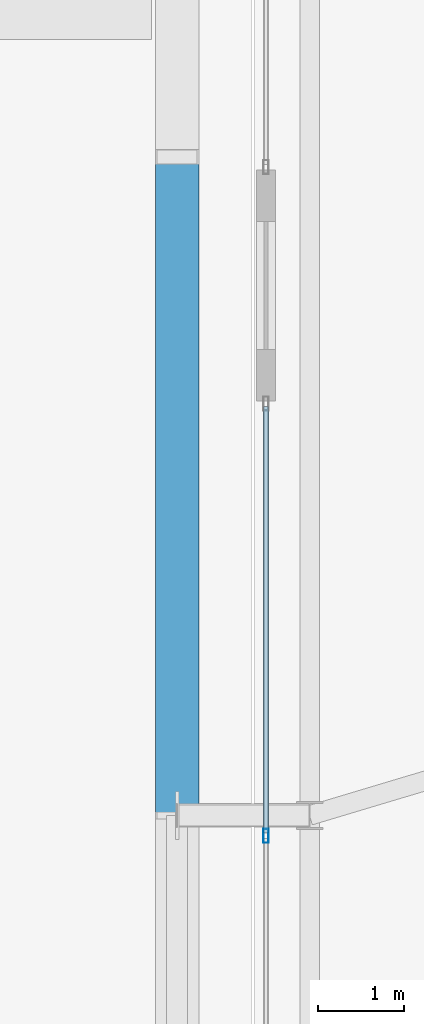
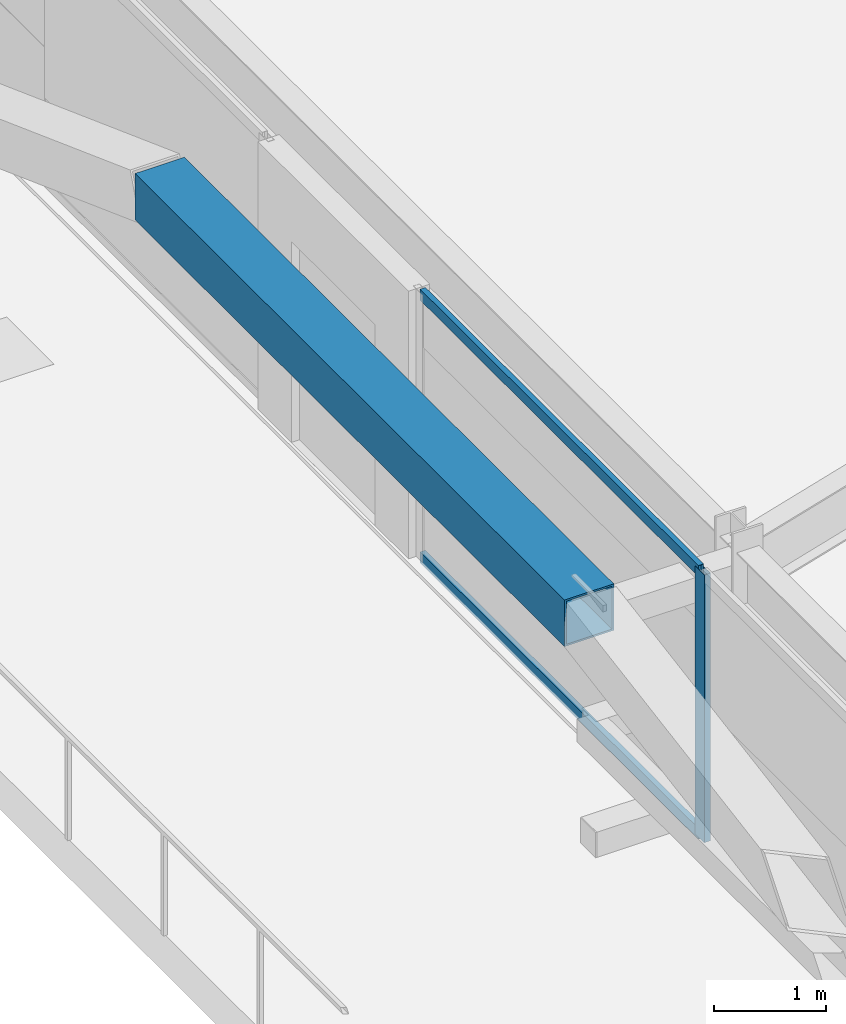
# One storey, part 14 of 56: 4 members, 1 element without a shape of its own.
"""IFC4 building model written with IfcOpenShell, lengths in metres."""

from ifc_helpers import new_model, si_unit, direction, frame, origin, origin_2d, place, context, subcontext, project, spatial, hollow_rectangle, extrude, source, transform, mapped, material, layer, layer_set, material_profile, profile_set, type_object, element, aggregate, save


model = new_model("IFC4")

# Units and contexts
model_context = context("Model", 3, precision=1e-05, world=origin(), true_north=direction((0.0, 1.0)))
body_context = subcontext(model_context, "Body", "Model", "MODEL_VIEW")
ifc_project = project(units=[si_unit("LENGTHUNIT", "METRE"), si_unit("AREAUNIT", "SQUARE_METRE"), si_unit("VOLUMEUNIT", "CUBIC_METRE"), si_unit("PLANEANGLEUNIT", "RADIAN"), si_unit("MASSUNIT", "GRAM", prefix="KILO")], contexts=[model_context])

# Site, building, storey
site_placement = place(None, origin())
site = spatial("IfcSite", under=ifc_project, at=site_placement, CompositionType="ELEMENT")
building_placement = place(site_placement, origin())
building = spatial("IfcBuilding", under=site, at=building_placement, Name="Taldren Reach Tower", CompositionType="ELEMENT")
storey_placement = place(building_placement, frame((0.0, 0.0, 16.800048828125)))
storey = spatial("IfcBuildingStorey", under=building, at=storey_placement, Name="L04", CompositionType="ELEMENT", Elevation=16.800048828125)

# Curtain wall, members
ifc_material_1 = material(Name="Aluminium and Low-E Glass Unitised System", Category="aluminium")
ifc_layer = layer(ifc_material_1, 0.159912109375)
ifc_layer_set = layer_set([ifc_layer], Name="Aluminium and Low-E Glass Unitised System")
curtain_wall_type = type_object("IfcCurtainWallType", Name="CW-SYS-2", PredefinedType="NOTDEFINED", material=ifc_layer_set)
curtain_wall_placement = place(storey_placement, origin())
curtain_wall = element("IfcCurtainWall", 1, at=curtain_wall_placement, inside=storey, type_object=curtain_wall_type, Name="Unitised curtain wall CW-L04-W2", PredefinedType="NOTDEFINED")
ifc_material_2 = material(Name="Anodised Aluminium 6063-T6", Category="aluminium")
ifc_material_profile_1 = material_profile(ifc_material_2, hollow_rectangle(XDim=0.06494140625, YDim=0.1650390625, WallThickness=0.00390625, at=origin_2d()), Name="ALU-165x65x4RHS")
ifc_profile_set_1 = profile_set([ifc_material_profile_1], Name="Anodised Aluminium 6063-T6")
member_type_1 = type_object("IfcMemberType", Name="CW-MUL-165", PredefinedType="MULLION", material=ifc_profile_set_1)
shared_shape_1 = source(origin(), body_context, "Body", "SweptSolid", [
    extrude(hollow_rectangle(XDim=0.06494140625, YDim=0.1650390625, WallThickness=0.00390625, at=origin_2d()), origin(), (0.0, 0.0, 1.0), 2.929931640625),
])
member_1_placement = place(storey_placement, frame((5.139892578125, 19.762451171875, 0.0), z_axis=(0.0, 0.0, 1.0), x_axis=(1.0, 0.0, 0.0)))
member_1 = element("IfcMember", 2, at=member_1_placement, type_object=member_type_1, Name="CW-2 mullion 2", PredefinedType="MULLION", context=body_context, shape_type="MappedRepresentation", body=[
    mapped(shared_shape_1, transform((0.0, 0.0, 0.0), scale=1.0)),
])
ifc_material_profile_2 = material_profile(ifc_material_2, hollow_rectangle(XDim=0.054931640625, YDim=0.1201171875, WallThickness=0.0029296875, at=origin_2d()), Name="ALU-120x55x3RHS")
ifc_profile_set_2 = profile_set([ifc_material_profile_2], Name="Anodised Aluminium 6063-T6")
member_type_2 = type_object("IfcMemberType", Name="CW-TRN-135", PredefinedType="USERDEFINED", material=ifc_profile_set_2)
shared_shape_2 = source(origin(), body_context, "Body", "SweptSolid", [
    extrude(hollow_rectangle(XDim=0.054931640625, YDim=0.1201171875, WallThickness=0.0029296875, at=origin_2d()), origin(), (0.0, 0.0, 1.0), 4.989990234375),
])
member_2_placement = place(storey_placement, frame((5.139892578125, 24.784912109375, 0.02734375), z_axis=(0.0, -1.0, 0.0), x_axis=(1.0, 0.0, 0.0)))
member_2 = element("IfcMember", 3, at=member_2_placement, type_object=member_type_2, Name="CW-2 transom 1.1", ObjectType="TRANSOM", PredefinedType="USERDEFINED", context=body_context, shape_type="MappedRepresentation", body=[
    mapped(shared_shape_2, transform((0.0, 0.0, 0.0), scale=1.0)),
])
member_3_placement = place(storey_placement, frame((5.139892578125, 24.784912109375, 2.90234375), z_axis=(0.0, -1.0, 0.0), x_axis=(1.0, 0.0, 0.0)))
member_3 = element("IfcMember", 4, at=member_3_placement, type_object=member_type_2, Name="CW-2 transom 1.2", ObjectType="TRANSOM", PredefinedType="USERDEFINED", context=body_context, shape_type="MappedRepresentation", body=[
    mapped(shared_shape_2, transform((0.0, 0.0, 0.0), scale=1.0)),
])
aggregate(curtain_wall, [member_1, member_2, member_3])

# Member
ifc_material_3 = material(Name="Steel Gr 450 (C450L0)", Category="steel")
ifc_material_profile_3 = material_profile(ifc_material_3, hollow_rectangle(XDim=0.510009765625, YDim=0.510009765625, WallThickness=0.02001953125, at=origin_2d()), Name="510x510x20.0SHS")
ifc_profile_set_3 = profile_set([ifc_material_profile_3], Name="Steel Gr 450 (C450L0)")
member_type_3 = type_object("IfcMemberType", Name="MB-EXO508", PredefinedType="BRACE", material=ifc_profile_set_3)
shared_shape_3 = source(origin(), body_context, "Body", "SweptSolid", [
    extrude(hollow_rectangle(XDim=0.510009765625, YDim=0.510009765625, WallThickness=0.02001953125, at=origin_2d()), origin(), (0.0, 0.0, 1.0), 7.699951171875),
])
member_4_placement = place(storey_placement, frame((4.10009765625, 27.699951171875, 2.64990234375), z_axis=(0.0, -1.0, 0.0), x_axis=(1.0, 0.0, 0.0)))
element("IfcMember", 5, at=member_4_placement, inside=storey, type_object=member_type_3, Name="Exoskeleton Diagrid Head Strut B1-W2 L04", PredefinedType="BRACE", context=body_context, shape_type="MappedRepresentation", body=[
    mapped(shared_shape_3, transform((0.0, 0.0, 0.0), scale=1.0)),
])

save(model, "model.ifc")
